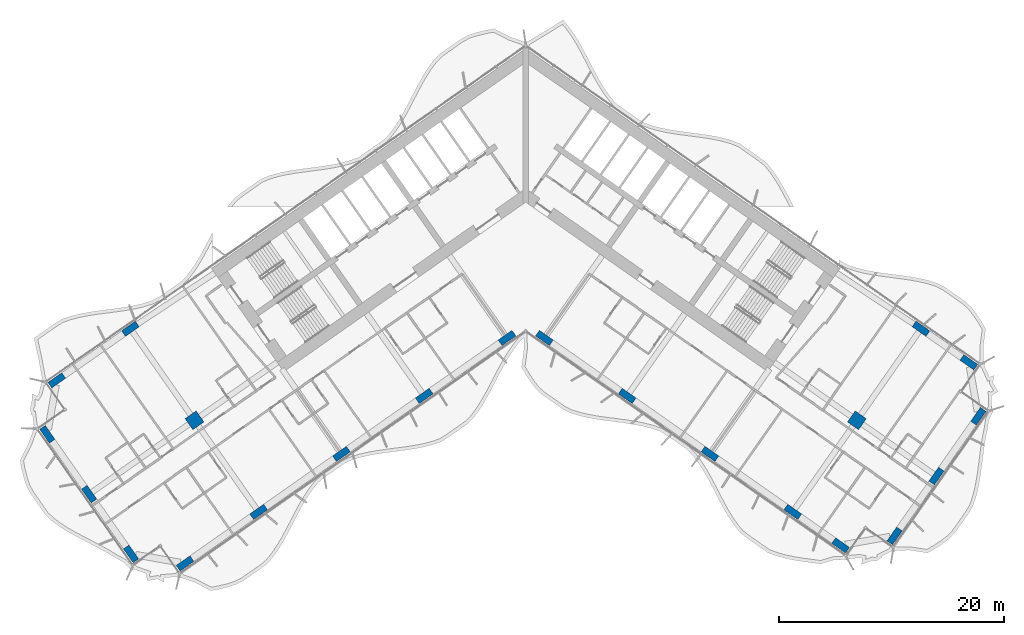
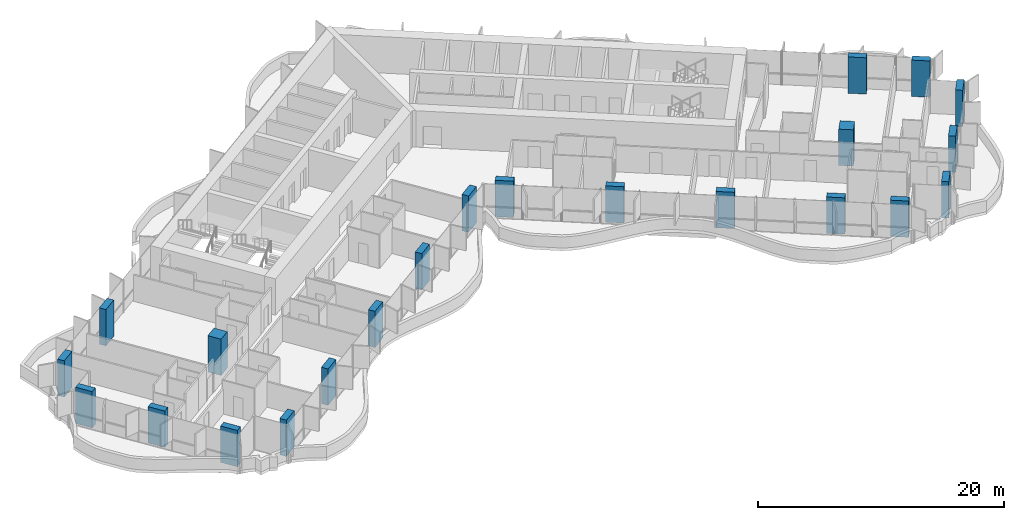
# One storey, part 1 of 23: 22 columns.
"""IFC4 building model written with IfcOpenShell, lengths in metres."""

from ifc_helpers import new_model, si_unit, direction, frame, origin, origin_2d, place, context, subcontext, project, spatial, rectangle, extrude, material, material_profile, profile_set, type_object, element, save


model = new_model("IFC4")

# Units and contexts
model_context = context("Model", 3, precision=1e-05, world=origin(), true_north=direction((0.0, 1.0)))
body_context = subcontext(model_context, "Body", "Model", "MODEL_VIEW")
ifc_project = project(units=[si_unit("LENGTHUNIT", "METRE"), si_unit("AREAUNIT", "SQUARE_METRE"), si_unit("VOLUMEUNIT", "CUBIC_METRE"), si_unit("PLANEANGLEUNIT", "RADIAN"), si_unit("MASSUNIT", "GRAM", prefix="KILO")], contexts=[model_context])

# Site, building, storey
site_placement = place(None, origin())
site = spatial("IfcSite", under=ifc_project, at=site_placement, CompositionType="ELEMENT")
building_placement = place(site_placement, origin())
building = spatial("IfcBuilding", under=site, at=building_placement, Name="Tel Ilan Convention Tower", CompositionType="ELEMENT")
storey_placement = place(building_placement, frame((0.0, 0.0, 83.300048828125)))
storey = spatial("IfcBuildingStorey", under=building, at=storey_placement, Name="L16", CompositionType="ELEMENT", Elevation=83.300048828125)

# Columns
ifc_material_1 = material(Name="Concrete C60/75", Category="concrete")
ifc_material_profile_1 = material_profile(ifc_material_1, rectangle(XDim=1.199951171875, YDim=1.199951171875, at=origin_2d()), Name="RC 1200x1200")
ifc_profile_set_1 = profile_set([ifc_material_profile_1], Name="Concrete C60/75")
column_type_1 = type_object("IfcColumnType", Name="Column RC 1200x1200 C60/75", PredefinedType="COLUMN", material=ifc_profile_set_1)
for number, where, z_axis, x_axis, name in (
    (1, (-29.489501953125, -20.648681640625, 0.0), (0.0, 0.0, 1.0), (-0.819152044289, -0.573576436351, 0.0), "L16 column W-M4"),
    (2, (29.489501953125, -20.648681640625, 0.0), (0.0, 0.0, 1.0), (0.819152044289, -0.573576436351, 0.0), "L16 column E-M4"),
):
    element("IfcColumn", number, at=place(storey_placement, frame(where, z_axis=z_axis, x_axis=x_axis)), inside=storey, type_object=column_type_1, Name=name, PredefinedType="COLUMN", context=body_context, shape_type="SweptSolid", body=[
        extrude(rectangle(XDim=1.199951171875, YDim=1.199951171875, at=origin_2d()), origin(), (0.0, 0.0, 1.0), 3.599853515625),
    ])
ifc_material_2 = material(Name="Concrete C60/75", Category="concrete")
ifc_material_profile_2 = material_profile(ifc_material_2, rectangle(XDim=1.5, YDim=0.60009765625, at=origin_2d()), Name="RC 600x1500")
ifc_profile_set_2 = profile_set([ifc_material_profile_2], Name="Concrete C60/75")
column_type_2 = type_object("IfcColumnType", Name="Column RC 600x1500 C60/75", PredefinedType="COLUMN", material=ifc_profile_set_2)
for number, where, z_axis, x_axis, name in (
    (3, (-1.665283203125, -13.312744140625, 0.0), (0.0, 0.0, 1.0), (-0.819152044289, -0.573576436351, 0.0), "L16 column W-F1"),
    (4, (-9.03759765625, -18.474853515625, 0.0), (0.0, 0.0, 1.0), (-0.819152044289, -0.573576436351, 0.0), "L16 column W-F2"),
    (5, (-16.409912109375, -23.63720703125, 0.0), (0.0, 0.0, 1.0), (-0.819152044289, -0.573576436351, 0.0), "L16 column W-F3"),
    (6, (-23.782470703125, -28.79931640625, 0.0), (0.0, 0.0, 1.0), (-0.819152044289, -0.573576436351, 0.0), "L16 column W-F4"),
    (7, (-30.335693359375, -33.387939453125, 0.0), (0.0, 0.0, 1.0), (-0.819152044289, -0.573576436351, 0.0), "L16 column W-FC"),
    (8, (-35.196533203125, -12.498291015625, 0.0), (0.0, 0.0, 1.0), (-0.819152044289, -0.573576436351, 0.0), "L16 column W-B4"),
    (9, (-41.749755859375, -17.0869140625, 0.0), (0.0, 0.0, 1.0), (-0.819152044289, -0.573576436351, 0.0), "L16 column W-BC"),
    (10, (-35.140380859375, -32.540771484375, 0.0), (0.0, 0.0, 1.0), (-0.573576436351, 0.819152044289, 0.0), "L16 column W-E1"),
    (11, (-38.868896484375, -27.21630859375, 0.0), (0.0, 0.0, 1.0), (-0.573576436351, 0.819152044289, 0.0), "L16 column W-E2"),
    (12, (-42.596923828125, -21.8916015625, 0.0), (0.0, 0.0, 1.0), (-0.573576436351, 0.819152044289, 0.0), "L16 column W-E3"),
    (13, (1.665283203125, -13.312744140625, 0.0), (0.0, 0.0, 1.0), (0.819152044289, -0.573576436351, 0.0), "L16 column E-F1"),
    (14, (9.03759765625, -18.474853515625, 0.0), (0.0, 0.0, 1.0), (0.819152044289, -0.573576436351, 0.0), "L16 column E-F2"),
    (15, (16.409912109375, -23.63720703125, 0.0), (0.0, 0.0, 1.0), (0.819152044289, -0.573576436351, 0.0), "L16 column E-F3"),
    (16, (23.782470703125, -28.79931640625, 0.0), (0.0, 0.0, 1.0), (0.819152044289, -0.573576436351, 0.0), "L16 column E-F4"),
    (17, (28.0419921875, -31.781982421875, 0.0), (0.0, 0.0, 1.0), (0.819152044289, -0.573576436351, 0.0), "L16 column E-FC"),
    (18, (35.196533203125, -12.498291015625, 0.0), (0.0, 0.0, 1.0), (0.819152044289, -0.573576436351, 0.0), "L16 column E-B4"),
    (19, (39.4560546875, -15.480712890625, 0.0), (0.0, 0.0, 1.0), (0.819152044289, -0.573576436351, 0.0), "L16 column E-BC"),
    (20, (32.846923828125, -30.934814453125, 0.0), (0.0, 0.0, 1.0), (0.573576436351, 0.819152044289, 0.0), "L16 column E-E1"),
    (21, (36.5751953125, -25.610107421875, 0.0), (0.0, 0.0, 1.0), (0.573576436351, 0.819152044289, 0.0), "L16 column E-E2"),
    (22, (40.303466796875, -20.28564453125, 0.0), (0.0, 0.0, 1.0), (0.573576436351, 0.819152044289, 0.0), "L16 column E-E3"),
):
    element("IfcColumn", number, at=place(storey_placement, frame(where, z_axis=z_axis, x_axis=x_axis)), inside=storey, type_object=column_type_2, Name=name, PredefinedType="COLUMN", context=body_context, shape_type="SweptSolid", body=[
        extrude(rectangle(XDim=1.5, YDim=0.60009765625, at=origin_2d()), origin(), (0.0, 0.0, 1.0), 3.599853515625),
    ])

save(model, "model.ifc")
